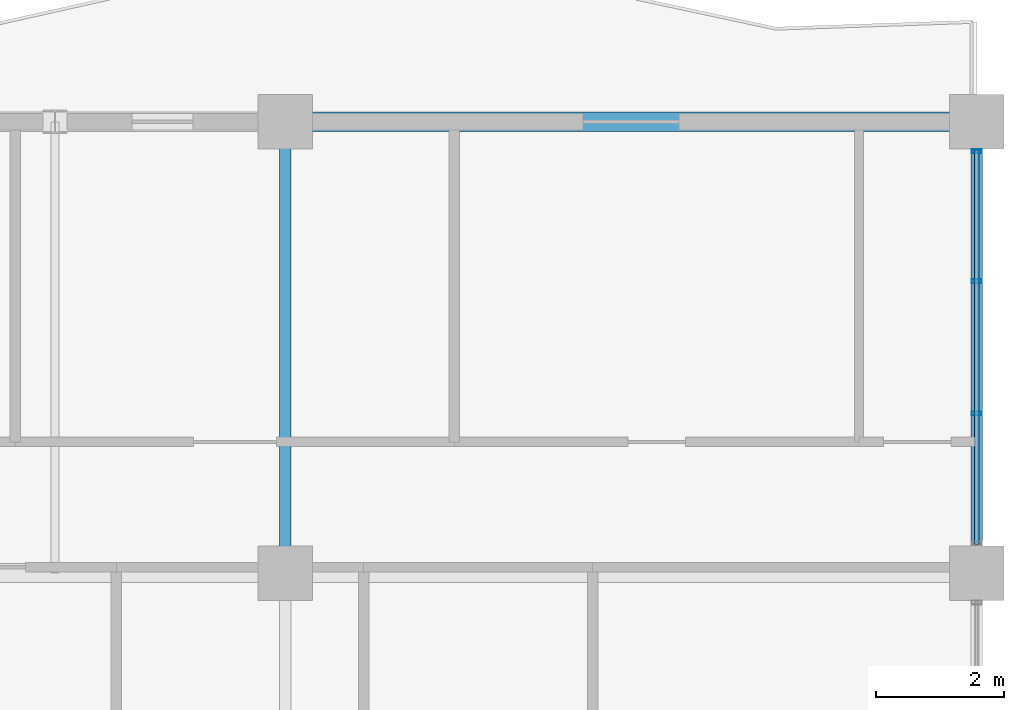
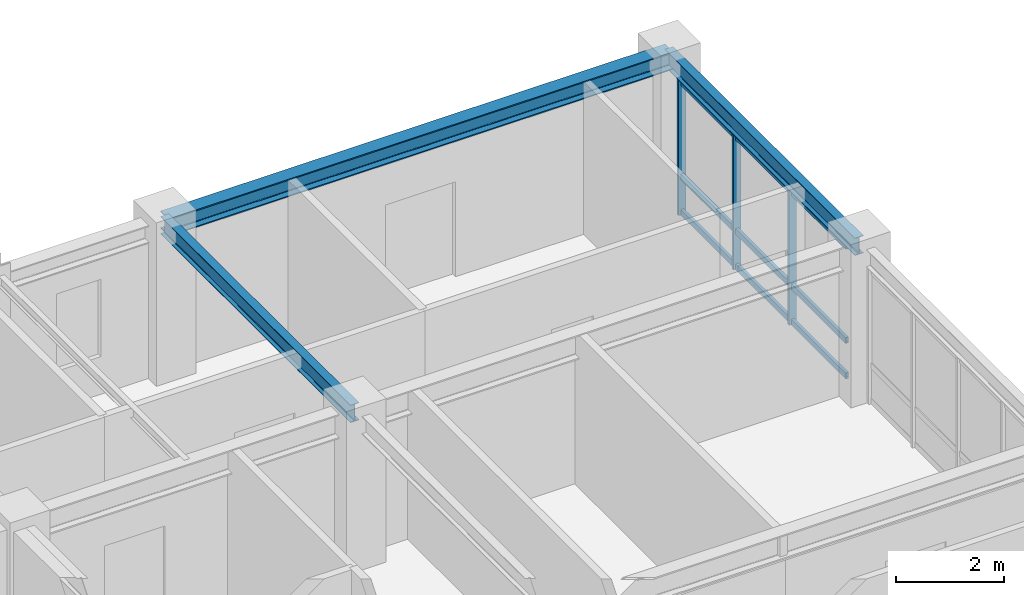
# One storey, part 4 of 10: 6 members, 3 beams, 1 element without a shape of its own.
"""IFC4 building model written with IfcOpenShell, lengths in metres."""

from ifc_helpers import new_model, si_unit, direction, frame, origin, origin_2d, place, context, subcontext, project, spatial, hollow_rectangle, i_section, extrude, source, transform, mapped, material, layer, layer_set, material_profile, profile_set, type_object, element, aggregate, save


model = new_model("IFC4")

# Units and contexts
model_context = context("Model", 3, precision=1e-05, world=origin(), true_north=direction((0.0, 1.0)))
body_context = subcontext(model_context, "Body", "Model", "MODEL_VIEW")
ifc_project = project(units=[si_unit("LENGTHUNIT", "METRE"), si_unit("AREAUNIT", "SQUARE_METRE"), si_unit("VOLUMEUNIT", "CUBIC_METRE"), si_unit("PLANEANGLEUNIT", "RADIAN"), si_unit("MASSUNIT", "GRAM", prefix="KILO")], contexts=[model_context])

# Site, building, storey
site_placement = place(None, origin())
site = spatial("IfcSite", under=ifc_project, at=site_placement, CompositionType="ELEMENT")
building_placement = place(site_placement, origin())
building = spatial("IfcBuilding", under=site, at=building_placement, Name="Kaliganga Portal Commons", CompositionType="ELEMENT")
storey_placement = place(building_placement, frame((0.0, 0.0, 290.60009765625)))
storey = spatial("IfcBuildingStorey", under=building, at=storey_placement, Name="L75", CompositionType="ELEMENT", Elevation=290.60009765625)

# Beams
ifc_material_1 = material(Name="Structural steel S355J2", Category="steel")
ifc_material_profile_1 = material_profile(ifc_material_1, i_section(OverallWidth=0.300048828125, OverallDepth=0.39990234375, WebThickness=0.013427734375, FlangeThickness=0.02392578125, FilletRadius=0.027099609375, at=origin_2d()), Name="HE 400 B")
ifc_profile_set_1 = profile_set([ifc_material_profile_1], Name="Structural steel S355J2 wide-flange")
beam_type_1 = type_object("IfcBeamType", Name="BM-SPAND-400", PredefinedType="SPANDREL", material=ifc_profile_set_1)
shared_shape_1 = source(origin(), body_context, "Body", "SweptSolid", [
    extrude(i_section(OverallWidth=0.300048828125, OverallDepth=0.39990234375, WebThickness=0.013427734375, FlangeThickness=0.02392578125, FilletRadius=0.027099609375, at=origin_2d()), origin(), (0.0, 0.0, 1.0), 10.800048828125),
])
beam_placement = place(storey_placement, frame((36.0, 43.199951171875, 3.27490234375), z_axis=(1.0, 0.0, 0.0), x_axis=(0.0, 1.0, 0.0)))
element("IfcBeam", 1, at=beam_placement, inside=storey, type_object=beam_type_1, Name="BM SP L75 AN 7", PredefinedType="SPANDREL", context=body_context, shape_type="MappedRepresentation", body=[
    mapped(shared_shape_1, transform((0.0, 0.0, 0.0), x_axis=(1.0, 0.0, 0.0), y_axis=(0.0, 1.0, 0.0), z_axis=(0.0, 0.0, 1.0), scale=1.0)),
])
ifc_material_profile_2 = material_profile(ifc_material_1, i_section(OverallWidth=0.179931640625, OverallDepth=0.39990234375, WebThickness=0.008544921875, FlangeThickness=0.013427734375, FilletRadius=0.02099609375, at=origin_2d()), Name="IPE 400")
ifc_profile_set_2 = profile_set([ifc_material_profile_2], Name="Structural steel S355J2 wide-flange")
beam_type_2 = type_object("IfcBeamType", Name="BM-FLR-400", PredefinedType="BEAM", material=ifc_profile_set_2)
shared_shape_2 = source(origin(), body_context, "Body", "SweptSolid", [
    extrude(i_section(OverallWidth=0.179931640625, OverallDepth=0.39990234375, WebThickness=0.008544921875, FlangeThickness=0.013427734375, FilletRadius=0.02099609375, at=origin_2d()), origin(), (0.0, 0.0, 1.0), 7.050048828125),
])
for number, where, z_axis, x_axis, name in (
    (2, (36.0, 36.14990234375, 3.27490234375), (0.0, 1.0, 0.0), (-1.0, 0.0, 0.0), "BM G L75 AN360"),
    (3, (46.800048828125, 36.14990234375, 3.27490234375), (0.0, 1.0, 0.0), (-1.0, 0.0, 0.0), "BM G L75 AN468"),
):
    element("IfcBeam", number, at=place(storey_placement, frame(where, z_axis=z_axis, x_axis=x_axis)), inside=storey, type_object=beam_type_2, Name=name, PredefinedType="BEAM", context=body_context, shape_type="MappedRepresentation", body=[
        mapped(shared_shape_2, transform((0.0, 0.0, 0.0), x_axis=(1.0, 0.0, 0.0), y_axis=(0.0, 1.0, 0.0), z_axis=(0.0, 0.0, 1.0), scale=1.0)),
    ])

# Curtain wall, members
ifc_material_2 = material(Name="Anodized Aluminium and Laminated Low-E Glass", Category="aluminium")
ifc_layer = layer(ifc_material_2, 0.18994140625)
ifc_layer_set = layer_set([ifc_layer], Name="Anodized Aluminium and Laminated Low-E Glass")
curtain_wall_type = type_object("IfcCurtainWallType", Name="CW-SYS-05", PredefinedType="NOTDEFINED", material=ifc_layer_set)
curtain_wall_placement = place(storey_placement, origin())
curtain_wall = element("IfcCurtainWall", 4, at=curtain_wall_placement, inside=storey, type_object=curtain_wall_type, Name="CW 05 L75 P1E01S3", PredefinedType="NOTDEFINED")
ifc_material_3 = material(Name="Dark Bronze Anodized Aluminium", Category="aluminium")
ifc_material_profile_3 = material_profile(ifc_material_3, hollow_rectangle(XDim=0.06005859375, YDim=0.159912109375, WallThickness=0.00341796875, at=origin_2d()), Name="ALU MULL 60x160x3.5")
ifc_profile_set_3 = profile_set([ifc_material_profile_3], Name="Dark Bronze Anodized Aluminium")
member_type_1 = type_object("IfcMemberType", Name="CW-MUL-160", PredefinedType="MULLION", material=ifc_profile_set_3)
shared_shape_3 = source(origin(), body_context, "Body", "SweptSolid", [
    extrude(hollow_rectangle(XDim=0.06005859375, YDim=0.159912109375, WallThickness=0.00341796875, at=origin_2d()), origin(), (0.0, 0.0, 1.0), 3.074951171875),
])
member_1_placement = place(storey_placement, frame((46.800048828125, 38.64208984375, 0.0), z_axis=(0.0, 0.0, 1.0), x_axis=(0.0, 1.0, 0.0)))
member_1 = element("IfcMember", 5, at=member_1_placement, type_object=member_type_1, Name="CW:05:L75:P1E01S3 Mullion 01", PredefinedType="MULLION", context=body_context, shape_type="MappedRepresentation", body=[
    mapped(shared_shape_3, transform((0.0, 0.0, 0.0), x_axis=(1.0, 0.0, 0.0), y_axis=(0.0, 1.0, 0.0), z_axis=(0.0, 0.0, 1.0), scale=1.0)),
])
member_2_placement = place(storey_placement, frame((46.800048828125, 40.7080078125, 0.0), z_axis=(0.0, 0.0, 1.0), x_axis=(0.0, 1.0, 0.0)))
member_2 = element("IfcMember", 6, at=member_2_placement, type_object=member_type_1, Name="CW:05:L75:P1E01S3 Mullion 02", PredefinedType="MULLION", context=body_context, shape_type="MappedRepresentation", body=[
    mapped(shared_shape_3, transform((0.0, 0.0, 0.0), x_axis=(1.0, 0.0, 0.0), y_axis=(0.0, 1.0, 0.0), z_axis=(0.0, 0.0, 1.0), scale=1.0)),
])
member_3_placement = place(storey_placement, frame((46.800048828125, 42.739013671875, 0.0), z_axis=(0.0, 0.0, 1.0), x_axis=(0.0, 1.0, 0.0)))
member_3 = element("IfcMember", 7, at=member_3_placement, type_object=member_type_1, Name="CW:05:L75:P1E01S3 Mullion 03", PredefinedType="MULLION", context=body_context, shape_type="MappedRepresentation", body=[
    mapped(shared_shape_3, transform((0.0, 0.0, 0.0), x_axis=(1.0, 0.0, 0.0), y_axis=(0.0, 1.0, 0.0), z_axis=(0.0, 0.0, 1.0), scale=1.0)),
])
ifc_material_profile_4 = material_profile(ifc_material_3, hollow_rectangle(XDim=0.06494140625, YDim=0.135009765625, WallThickness=0.00341796875, at=origin_2d()), Name="ALU TRAN 65x135x3.5")
ifc_profile_set_4 = profile_set([ifc_material_profile_4], Name="Dark Bronze Anodized Aluminium")
member_type_2 = type_object("IfcMemberType", Name="CW-TRN-135", PredefinedType="USERDEFINED", material=ifc_profile_set_4)
shared_shape_4 = source(origin(), body_context, "Body", "SweptSolid", [
    extrude(hollow_rectangle(XDim=0.06494140625, YDim=0.135009765625, WallThickness=0.00341796875, at=origin_2d()), origin(), (0.0, 0.0, 1.0), 6.157958984375),
])
member_4_placement = place(storey_placement, frame((46.800048828125, 36.595947265625, 0.059814453125), z_axis=(0.0, 1.0, 0.0), x_axis=(-1.0, 0.0, 0.0)))
member_4 = element("IfcMember", 8, at=member_4_placement, type_object=member_type_2, Name="CW:05:L75:P1E01S3 Transom 1", ObjectType="TRANSOM", PredefinedType="USERDEFINED", context=body_context, shape_type="MappedRepresentation", body=[
    mapped(shared_shape_4, transform((0.0, 0.0, 0.0), x_axis=(1.0, 0.0, 0.0), y_axis=(0.0, 1.0, 0.0), z_axis=(0.0, 0.0, 1.0), scale=1.0)),
])
member_5_placement = place(storey_placement, frame((46.800048828125, 36.595947265625, 0.86083984375), z_axis=(0.0, 1.0, 0.0), x_axis=(-1.0, 0.0, 0.0)))
member_5 = element("IfcMember", 9, at=member_5_placement, type_object=member_type_2, Name="CW:05:L75:P1E01S3 Transom 2", ObjectType="TRANSOM", PredefinedType="USERDEFINED", context=body_context, shape_type="MappedRepresentation", body=[
    mapped(shared_shape_4, transform((0.0, 0.0, 0.0), x_axis=(1.0, 0.0, 0.0), y_axis=(0.0, 1.0, 0.0), z_axis=(0.0, 0.0, 1.0), scale=1.0)),
])
member_6_placement = place(storey_placement, frame((46.800048828125, 36.595947265625, 2.994873046875), z_axis=(0.0, 1.0, 0.0), x_axis=(-1.0, 0.0, 0.0)))
member_6 = element("IfcMember", 10, at=member_6_placement, type_object=member_type_2, Name="CW:05:L75:P1E01S3 Transom 3", ObjectType="TRANSOM", PredefinedType="USERDEFINED", context=body_context, shape_type="MappedRepresentation", body=[
    mapped(shared_shape_4, transform((0.0, 0.0, 0.0), x_axis=(1.0, 0.0, 0.0), y_axis=(0.0, 1.0, 0.0), z_axis=(0.0, 0.0, 1.0), scale=1.0)),
])
aggregate(curtain_wall, [member_1, member_2, member_3, member_4, member_5, member_6])

save(model, "model.ifc")
